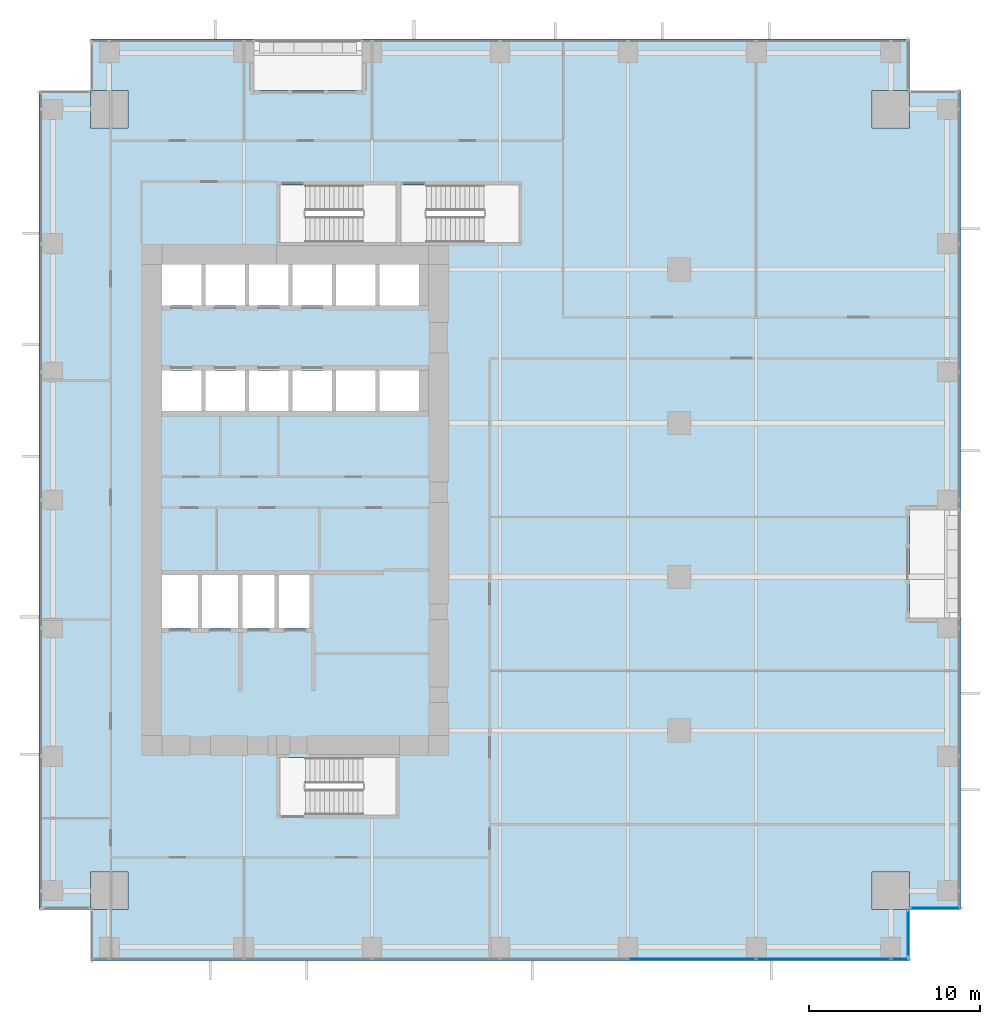
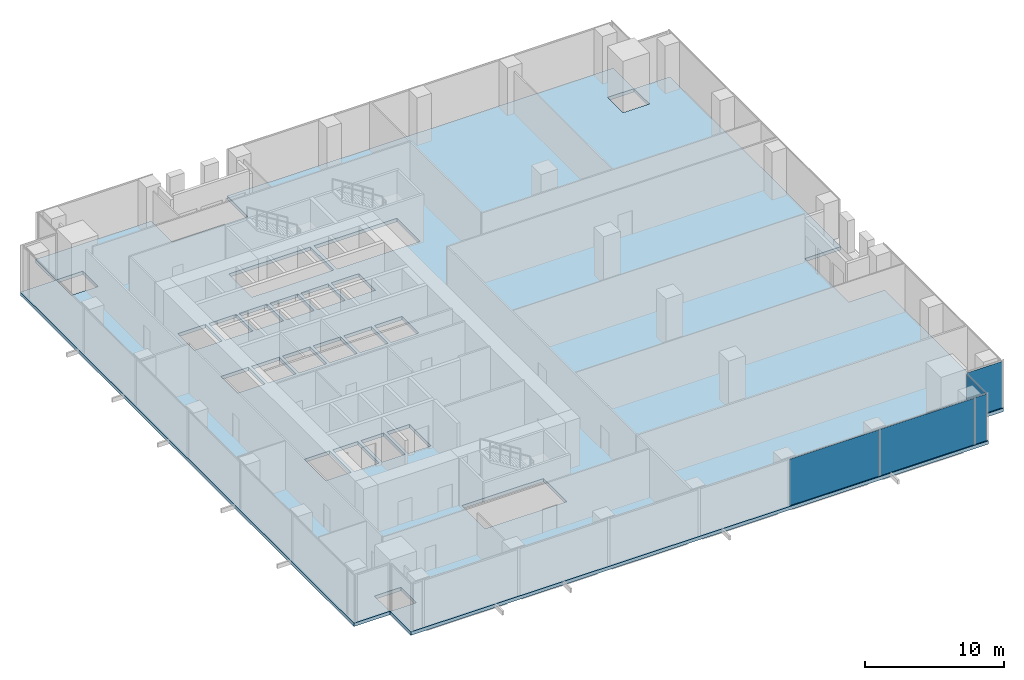
# One storey, part 22 of 32: 5 plates, 1 slab, 3 elements without a shape of their own.
"""IFC4 building model written with IfcOpenShell, lengths in metres."""

from ifc_helpers import new_model, si_unit, direction, frame, origin, origin_2d, place, context, subcontext, project, spatial, polyline, rectangle, outline, extrude, source, transform, mapped, material, layer, layer_set, type_object, element, aggregate, save


model = new_model("IFC4")

# Units and contexts
model_context = context("Model", 3, precision=1e-05, world=origin(), true_north=direction((0.0, 1.0)))
body_context = subcontext(model_context, "Body", "Model", "MODEL_VIEW")
ifc_project = project(units=[si_unit("LENGTHUNIT", "METRE"), si_unit("AREAUNIT", "SQUARE_METRE"), si_unit("VOLUMEUNIT", "CUBIC_METRE"), si_unit("PLANEANGLEUNIT", "RADIAN"), si_unit("MASSUNIT", "GRAM", prefix="KILO")], contexts=[model_context])

# Site, building, storey
site_placement = place(None, origin())
site = spatial("IfcSite", under=ifc_project, at=site_placement, CompositionType="ELEMENT")
building_placement = place(site_placement, origin())
building = spatial("IfcBuilding", under=site, at=building_placement, Name="Khomas Fold Tower", CompositionType="ELEMENT")
storey_placement = place(building_placement, frame((0.0, 0.0, 37.5)))
storey = spatial("IfcBuildingStorey", under=building, at=storey_placement, Name="L07", CompositionType="ELEMENT", Elevation=37.5)

# Slab
ifc_material_1 = material(Name="Concrete C40/50", Category="concrete")
ifc_layer_1 = layer(ifc_material_1, 0.300048828125)
ifc_layer_set_1 = layer_set([ifc_layer_1], Name="Concrete C40/50")
slab_type = type_object("IfcSlabType", Name="RC floor slab 300", PredefinedType="FLOOR", material=ifc_layer_set_1)
shared_shape_1 = source(origin(), body_context, "Body", "SweptSolid", [
    extrude(outline(polyline([(0.0, 3.0), (2.9951171875, 3.0), (2.9951171875, 5.205078125), (5.205078125, 5.205078125), (5.205078125, 2.9951171875), (3.0, 2.9951171875), (3.0, 0.0), (51.0, 0.0), (51.0, 2.9951171875), (48.794921875, 2.9951171875), (48.794921875, 5.205078125), (51.0048828125, 5.205078125), (51.0048828125, 3.0), (54.0, 3.0), (54.0, 20.10009765625), (51.0, 20.10009765625), (51.0, 26.39990234375), (54.0, 26.39990234375), (54.0, 51.0), (51.0048828125, 51.0), (51.0048828125, 48.794921875), (48.794921875, 48.794921875), (48.794921875, 51.0048828125), (51.0, 51.0048828125), (51.0, 54.0), (18.89990234375, 54.0), (18.89990234375, 51.0), (12.60009765625, 51.0), (12.60009765625, 54.0), (3.0, 54.0), (3.0, 51.0048828125), (5.205078125, 51.0048828125), (5.205078125, 48.794921875), (2.9951171875, 48.794921875), (2.9951171875, 51.0), (0.0, 51.0), (0.0, 3.0)]), holes=[polyline([(7.199951171875, 19.5), (7.199951171875, 22.60009765625), (9.300048828125, 22.60009765625), (9.300048828125, 19.5), (7.199951171875, 19.5)]), polyline([(7.199951171875, 32.199951171875), (7.199951171875, 34.60009765625), (9.5, 34.60009765625), (9.5, 32.199951171875), (7.199951171875, 32.199951171875)]), polyline([(7.199951171875, 38.39990234375), (7.199951171875, 40.800048828125), (9.5, 40.800048828125), (9.5, 38.39990234375), (7.199951171875, 38.39990234375)]), polyline([(9.550048828125, 19.5), (9.550048828125, 22.60009765625), (11.64990234375, 22.60009765625), (11.64990234375, 19.5), (9.550048828125, 19.5)]), polyline([(9.75, 32.199951171875), (9.75, 34.60009765625), (12.050048828125, 34.60009765625), (12.050048828125, 32.199951171875), (9.75, 32.199951171875)]), polyline([(9.75, 38.39990234375), (9.75, 40.800048828125), (12.050048828125, 40.800048828125), (12.050048828125, 38.39990234375), (9.75, 38.39990234375)]), polyline([(11.89990234375, 19.5), (11.89990234375, 22.60009765625), (13.800048828125, 22.60009765625), (13.800048828125, 19.5), (11.89990234375, 19.5)]), polyline([(12.300048828125, 32.199951171875), (12.300048828125, 34.60009765625), (14.60009765625, 34.60009765625), (14.60009765625, 32.199951171875), (12.300048828125, 32.199951171875)]), polyline([(12.300048828125, 38.39990234375), (12.300048828125, 40.800048828125), (14.60009765625, 40.800048828125), (14.60009765625, 38.39990234375), (12.300048828125, 38.39990234375)]), polyline([(14.050048828125, 19.5), (14.050048828125, 22.60009765625), (15.949951171875, 22.60009765625), (15.949951171875, 19.5), (14.050048828125, 19.5)]), polyline([(14.10009765625, 8.550048828125), (14.10009765625, 11.89990234375), (20.89990234375, 11.89990234375), (20.89990234375, 8.550048828125), (14.10009765625, 8.550048828125)]), polyline([(14.10009765625, 42.10009765625), (14.10009765625, 45.449951171875), (20.89990234375, 45.449951171875), (20.89990234375, 42.10009765625), (14.10009765625, 42.10009765625)]), polyline([(14.85009765625, 32.199951171875), (14.85009765625, 34.60009765625), (17.14990234375, 34.60009765625), (17.14990234375, 32.199951171875), (14.85009765625, 32.199951171875)]), polyline([(14.85009765625, 38.39990234375), (14.85009765625, 40.800048828125), (17.14990234375, 40.800048828125), (17.14990234375, 38.39990234375), (14.85009765625, 38.39990234375)]), polyline([(17.39990234375, 32.199951171875), (17.39990234375, 34.60009765625), (19.699951171875, 34.60009765625), (19.699951171875, 32.199951171875), (17.39990234375, 32.199951171875)]), polyline([(17.39990234375, 38.39990234375), (17.39990234375, 40.800048828125), (19.699951171875, 40.800048828125), (19.699951171875, 38.39990234375), (17.39990234375, 38.39990234375)]), polyline([(19.949951171875, 32.199951171875), (19.949951171875, 34.60009765625), (22.25, 34.60009765625), (22.25, 32.199951171875), (19.949951171875, 32.199951171875)]), polyline([(19.949951171875, 38.39990234375), (19.949951171875, 40.800048828125), (22.25, 40.800048828125), (22.25, 38.39990234375), (19.949951171875, 38.39990234375)]), polyline([(21.199951171875, 42.10009765625), (21.199951171875, 45.449951171875), (28.10009765625, 45.449951171875), (28.10009765625, 42.10009765625), (21.199951171875, 42.10009765625)])]), origin(), (0.0, 0.0, 1.0), 0.300048828125),
])
slab_placement = place(storey_placement, frame((0.0, 0.0, -0.300048828125)))
element("IfcSlab", 1, at=slab_placement, inside=storey, type_object=slab_type, Name="S-L07", PredefinedType="FLOOR", context=body_context, shape_type="MappedRepresentation", body=[
    mapped(shared_shape_1, transform((0.0, 0.0, 0.0))),
])

# Curtain wall, plates
ifc_material_2 = material(Name="Aluminium framed double glazing", Category="aluminium")
curtain_wall_type = type_object("IfcCurtainWallType", Name="SK-Unitised clear-glass wall, growing floors CW1", PredefinedType="NOTDEFINED", material=ifc_material_2)
curtain_wall_1_placement = place(storey_placement, origin())
curtain_wall_1 = element("IfcCurtainWall", 2, at=curtain_wall_1_placement, inside=storey, type_object=curtain_wall_type, Name="CW1 run L07 00-0", PredefinedType="NOTDEFINED")
ifc_material_3 = material(Name="Clear double glazed unit")
ifc_layer_2 = layer(ifc_material_3, 0.031982421875)
ifc_layer_set_2 = layer_set([ifc_layer_2], Name="Clear double glazed unit")
plate_type = type_object("IfcPlateType", Name="SK-Unitised clear-glass wall, growing floors glass panel CW1-P", PredefinedType="CURTAIN_PANEL", material=ifc_layer_set_2)
shared_shape_2 = source(origin(), body_context, "Body", "SweptSolid", [
    extrude(rectangle(XDim=7.840087890625, YDim=0.031982421875, at=origin_2d()), origin(), (0.0, 0.0, 1.0), 4.080078125),
])
plate_1_placement = place(storey_placement, frame((45.949951171875, 0.10009765625, 0.0), z_axis=(0.0, 0.0, 1.0), x_axis=(1.0, 0.0, 0.0)))
plate_1 = element("IfcPlate", 3, at=plate_1_placement, type_object=plate_type, Name="CW1 glass panel 7", PredefinedType="CURTAIN_PANEL", context=body_context, shape_type="MappedRepresentation", body=[
    mapped(shared_shape_2, transform((0.0, 0.0, 0.0))),
])
shared_shape_3 = source(origin(), body_context, "Body", "SweptSolid", [
    extrude(rectangle(XDim=7.43994140625, YDim=0.031982421875, at=origin_2d()), origin(), (0.0, 0.0, 1.0), 4.080078125),
])
plate_2_placement = place(storey_placement, frame((38.25, 0.10009765625, 0.0), z_axis=(0.0, 0.0, 1.0), x_axis=(1.0, 0.0, 0.0)))
plate_2 = element("IfcPlate", 4, at=plate_2_placement, type_object=plate_type, Name="CW1 glass panel 6", PredefinedType="CURTAIN_PANEL", context=body_context, shape_type="MappedRepresentation", body=[
    mapped(shared_shape_3, transform((0.0, 0.0, 0.0))),
])
shared_shape_4 = source(origin(), body_context, "Body", "SweptSolid", [
    extrude(rectangle(XDim=1.010009765625, YDim=0.031982421875, at=origin_2d()), origin(), (0.0, 0.0, 1.0), 4.080078125),
])
plate_3_placement = place(storey_placement, frame((50.43505859375, 0.10009765625, 0.0), z_axis=(0.0, 0.0, 1.0), x_axis=(1.0, 0.0, 0.0)))
plate_3 = element("IfcPlate", 5, at=plate_3_placement, type_object=plate_type, Name="CW1 glass panel 8", PredefinedType="CURTAIN_PANEL", context=body_context, shape_type="MappedRepresentation", body=[
    mapped(shared_shape_4, transform((0.0, 0.0, 0.0))),
])
aggregate(curtain_wall_1, [plate_2, plate_1, plate_3])

# Curtain wall, plate
curtain_wall_2_placement = place(storey_placement, origin())
curtain_wall_2 = element("IfcCurtainWall", 6, at=curtain_wall_2_placement, inside=storey, type_object=curtain_wall_type, Name="CW1 corner return L07 01", PredefinedType="NOTDEFINED")
shared_shape_5 = source(origin(), body_context, "Body", "SweptSolid", [
    extrude(rectangle(XDim=2.679931640625, YDim=0.031982421875, at=origin_2d()), origin(), (0.0, 0.0, 1.0), 4.080078125),
])
plate_4_placement = place(storey_placement, frame((50.89990234375, 1.60009765625, 0.0), z_axis=(0.0, 0.0, 1.0), x_axis=(0.0, 1.0, 0.0)))
plate_4 = element("IfcPlate", 7, at=plate_4_placement, type_object=plate_type, Name="CW1 glass panel 1", PredefinedType="CURTAIN_PANEL", context=body_context, shape_type="MappedRepresentation", body=[
    mapped(shared_shape_5, transform((0.0, 0.0, 0.0))),
])
aggregate(curtain_wall_2, [plate_4])

curtain_wall_3_placement = place(storey_placement, origin())
curtain_wall_3 = element("IfcCurtainWall", 8, at=curtain_wall_3_placement, inside=storey, type_object=curtain_wall_type, Name="CW1 corner return L07 02", PredefinedType="NOTDEFINED")
shared_shape_6 = source(origin(), body_context, "Body", "SweptSolid", [
    extrude(rectangle(XDim=2.8798828125, YDim=0.031982421875, at=origin_2d()), origin(), (0.0, 0.0, 1.0), 4.080078125),
])
plate_5_placement = place(storey_placement, frame((52.5, 3.10009765625, 0.0), z_axis=(0.0, 0.0, 1.0), x_axis=(1.0, 0.0, 0.0)))
plate_5 = element("IfcPlate", 9, at=plate_5_placement, type_object=plate_type, Name="CW1 glass panel 1", PredefinedType="CURTAIN_PANEL", context=body_context, shape_type="MappedRepresentation", body=[
    mapped(shared_shape_6, transform((0.0, 0.0, 0.0))),
])
aggregate(curtain_wall_3, [plate_5])

save(model, "model.ifc")
